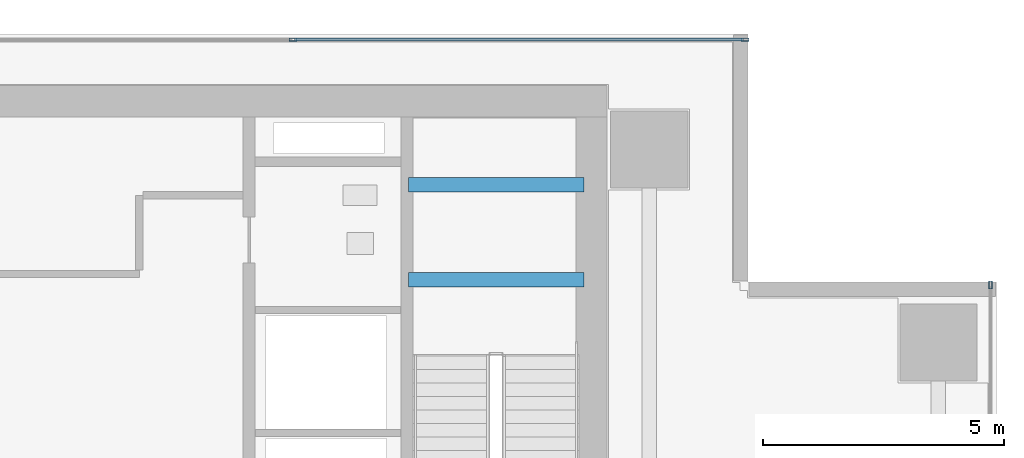
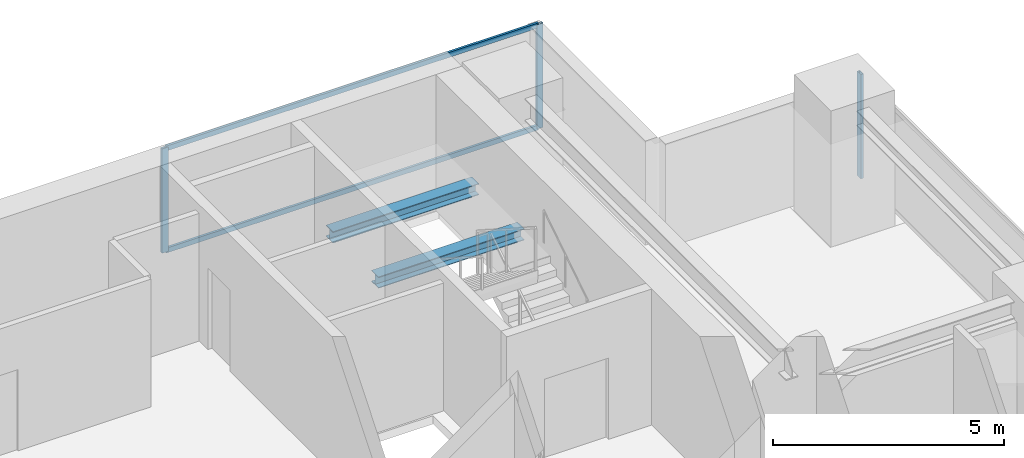
# One storey, part 19 of 28: 5 members, 2 beams, 2 elements without a shape of their own.
"""IFC4 building model written with IfcOpenShell, lengths in metres."""

from ifc_helpers import new_model, si_unit, direction, frame, origin, origin_2d, place, context, subcontext, project, spatial, hollow_rectangle, i_section, extrude, source, transform, mapped, material, layer, layer_set, material_profile, profile_set, type_object, element, aggregate, save


model = new_model("IFC4")

# Units and contexts
model_context = context("Model", 3, precision=1e-05, world=origin(), true_north=direction((0.0, 1.0)))
body_context = subcontext(model_context, "Body", "Model", "MODEL_VIEW")
ifc_project = project(units=[si_unit("LENGTHUNIT", "METRE"), si_unit("AREAUNIT", "SQUARE_METRE"), si_unit("VOLUMEUNIT", "CUBIC_METRE"), si_unit("PLANEANGLEUNIT", "RADIAN"), si_unit("MASSUNIT", "GRAM", prefix="KILO")], contexts=[model_context])

# Site, building, storey
site_placement = place(None, origin())
site = spatial("IfcSite", under=ifc_project, at=site_placement, CompositionType="ELEMENT")
building_placement = place(site_placement, origin())
building = spatial("IfcBuilding", under=site, at=building_placement, Name="Sumidabori Civic Tower", CompositionType="ELEMENT")
storey_placement = place(building_placement, frame((0.0, 0.0, 149.60009765625)))
storey = spatial("IfcBuildingStorey", under=building, at=storey_placement, Name="L38", CompositionType="ELEMENT", Elevation=149.60009765625)

# Beams
ifc_material_1 = material(Name="Steel SN490", Category="steel")
ifc_material_profile_1 = material_profile(ifc_material_1, i_section(OverallWidth=0.300048828125, OverallDepth=0.300048828125, WebThickness=0.010986328125, FlangeThickness=0.01904296875, at=origin_2d()), Name="HE 300 B")
ifc_profile_set_1 = profile_set([ifc_material_profile_1], Name="Steel SN490")
beam_type = type_object("IfcBeamType", Name="BM-LDG-300", PredefinedType="BEAM", material=ifc_profile_set_1)
shared_shape_1 = source(origin(), body_context, "Body", "SweptSolid", [
    extrude(i_section(OverallWidth=0.300048828125, OverallDepth=0.300048828125, WebThickness=0.010986328125, FlangeThickness=0.01904296875, at=origin_2d()), origin(), (0.0, 0.0, 1.0), 3.64990234375),
])
for number, where, z_axis, x_axis, name in (
    (1, (11.800048828125, 20.09765625, 1.449951171875), (1.0, 0.0, 0.0), (0.0, 1.0, 0.0), "Stair ST-2 Landing Support Beam L38-1A"),
    (2, (11.800048828125, 22.069580078125, 1.449951171875), (1.0, 0.0, 0.0), (0.0, 1.0, 0.0), "Stair ST-2 Landing Trimmer Beam L38-1B"),
):
    element("IfcBeam", number, at=place(storey_placement, frame(where, z_axis=z_axis, x_axis=x_axis)), inside=storey, type_object=beam_type, Name=name, PredefinedType="BEAM", context=body_context, shape_type="MappedRepresentation", body=[
        mapped(shared_shape_1, transform((0.0, 0.0, 0.0), x_axis=(1.0, 0.0, 0.0), y_axis=(0.0, 1.0, 0.0), z_axis=(0.0, 0.0, 1.0), scale=1.0)),
    ])

# Curtain wall, member
ifc_material_2 = material(Name="Anodised Bronze Aluminium AW-6063-T6", Category="aluminium")
ifc_layer = layer(ifc_material_2, 0.179931640625, Name="Anodised Bronze Aluminium AW-6063-T6")
ifc_layer_set = layer_set([ifc_layer], Name="Anodised Bronze Aluminium AW-6063-T6")
curtain_wall_type = type_object("IfcCurtainWallType", Name="CW-SYS-3", PredefinedType="NOTDEFINED", material=ifc_layer_set)
curtain_wall_1_placement = place(storey_placement, origin())
curtain_wall_1 = element("IfcCurtainWall", 3, at=curtain_wall_1_placement, inside=storey, type_object=curtain_wall_type, Name="Curtain Wall CW:L38:R04", PredefinedType="NOTDEFINED")
ifc_material_profile_2 = material_profile(ifc_material_2, hollow_rectangle(XDim=0.06494140625, YDim=0.159912109375, WallThickness=0.0048828125, at=origin_2d()), Name="ALU MULLION 160x65")
ifc_profile_set_2 = profile_set([ifc_material_profile_2], Name="Anodised Bronze Aluminium AW-6063-T6")
member_type_1 = type_object("IfcMemberType", Name="CW-MUL-160", PredefinedType="MULLION", material=ifc_profile_set_2)
shared_shape_2 = source(origin(), body_context, "Body", "SweptSolid", [
    extrude(hollow_rectangle(XDim=0.06494140625, YDim=0.159912109375, WallThickness=0.0048828125, at=origin_2d()), origin(), (0.0, 0.0, 1.0), 2.760009765625),
])
member_1_placement = place(storey_placement, frame((23.8798828125, 19.987548828125, 0.0), z_axis=(0.0, 0.0, 1.0), x_axis=(-1.0, 0.0, 0.0)))
member_1 = element("IfcMember", 4, at=member_1_placement, type_object=member_type_1, Name="CW-3 mullion 5", PredefinedType="MULLION", context=body_context, shape_type="MappedRepresentation", body=[
    mapped(shared_shape_2, transform((0.0, 0.0, 0.0), x_axis=(1.0, 0.0, 0.0), y_axis=(0.0, 1.0, 0.0), z_axis=(0.0, 0.0, 1.0), scale=1.0)),
])
aggregate(curtain_wall_1, [member_1])

# Curtain wall, members
curtain_wall_2_placement = place(storey_placement, origin())
curtain_wall_2 = element("IfcCurtainWall", 5, at=curtain_wall_2_placement, inside=storey, type_object=curtain_wall_type, Name="Curtain Wall CW:L38:R07", PredefinedType="NOTDEFINED")
member_2_placement = place(storey_placement, frame((18.78759765625, 25.080078125, 0.0), z_axis=(0.0, 0.0, 1.0), x_axis=(0.0, -1.0, 0.0)))
member_2 = element("IfcMember", 6, at=member_2_placement, type_object=member_type_1, Name="CW-3 mullion 1", PredefinedType="MULLION", context=body_context, shape_type="MappedRepresentation", body=[
    mapped(shared_shape_2, transform((0.0, 0.0, 0.0), x_axis=(1.0, 0.0, 0.0), y_axis=(0.0, 1.0, 0.0), z_axis=(0.0, 0.0, 1.0), scale=1.0)),
])
member_3_placement = place(storey_placement, frame((9.409912109375, 25.080078125, 0.0), z_axis=(0.0, 0.0, 1.0), x_axis=(0.0, -1.0, 0.0)))
member_3 = element("IfcMember", 7, at=member_3_placement, type_object=member_type_1, Name="CW-3 mullion 2", PredefinedType="MULLION", context=body_context, shape_type="MappedRepresentation", body=[
    mapped(shared_shape_2, transform((0.0, 0.0, 0.0), x_axis=(1.0, 0.0, 0.0), y_axis=(0.0, 1.0, 0.0), z_axis=(0.0, 0.0, 1.0), scale=1.0)),
])
ifc_material_profile_3 = material_profile(ifc_material_2, hollow_rectangle(XDim=0.06005859375, YDim=0.1298828125, WallThickness=0.0048828125, at=origin_2d()), Name="ALU TRANSOM 130x60")
ifc_profile_set_3 = profile_set([ifc_material_profile_3], Name="Anodised Bronze Aluminium AW-6063-T6")
member_type_2 = type_object("IfcMemberType", Name="CW-TRN-130", PredefinedType="USERDEFINED", material=ifc_profile_set_3)
shared_shape_3 = source(origin(), body_context, "Body", "SweptSolid", [
    extrude(hollow_rectangle(XDim=0.06005859375, YDim=0.1298828125, WallThickness=0.0048828125, at=origin_2d()), origin(), (0.0, 0.0, 1.0), 9.3125),
])
member_4_placement = place(storey_placement, frame((18.7548828125, 25.080078125, 0.02978515625), z_axis=(-1.0, 0.0, 0.0), x_axis=(0.0, -1.0, 0.0)))
member_4 = element("IfcMember", 8, at=member_4_placement, type_object=member_type_2, Name="CW-3 transom 1.1", ObjectType="TRANSOM", PredefinedType="USERDEFINED", context=body_context, shape_type="MappedRepresentation", body=[
    mapped(shared_shape_3, transform((0.0, 0.0, 0.0), x_axis=(1.0, 0.0, 0.0), y_axis=(0.0, 1.0, 0.0), z_axis=(0.0, 0.0, 1.0), scale=1.0)),
])
member_5_placement = place(storey_placement, frame((18.7548828125, 25.080078125, 2.72998046875), z_axis=(-1.0, 0.0, 0.0), x_axis=(0.0, -1.0, 0.0)))
member_5 = element("IfcMember", 9, at=member_5_placement, type_object=member_type_2, Name="CW-3 transom 1.2", ObjectType="TRANSOM", PredefinedType="USERDEFINED", context=body_context, shape_type="MappedRepresentation", body=[
    mapped(shared_shape_3, transform((0.0, 0.0, 0.0), x_axis=(1.0, 0.0, 0.0), y_axis=(0.0, 1.0, 0.0), z_axis=(0.0, 0.0, 1.0), scale=1.0)),
])
aggregate(curtain_wall_2, [member_2, member_3, member_4, member_5])

save(model, "model.ifc")
